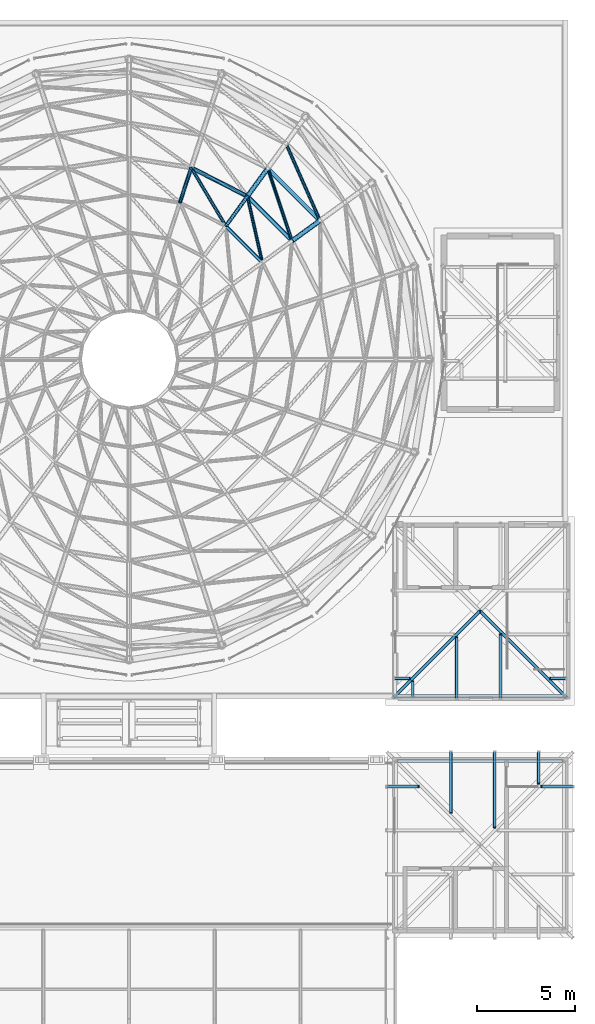
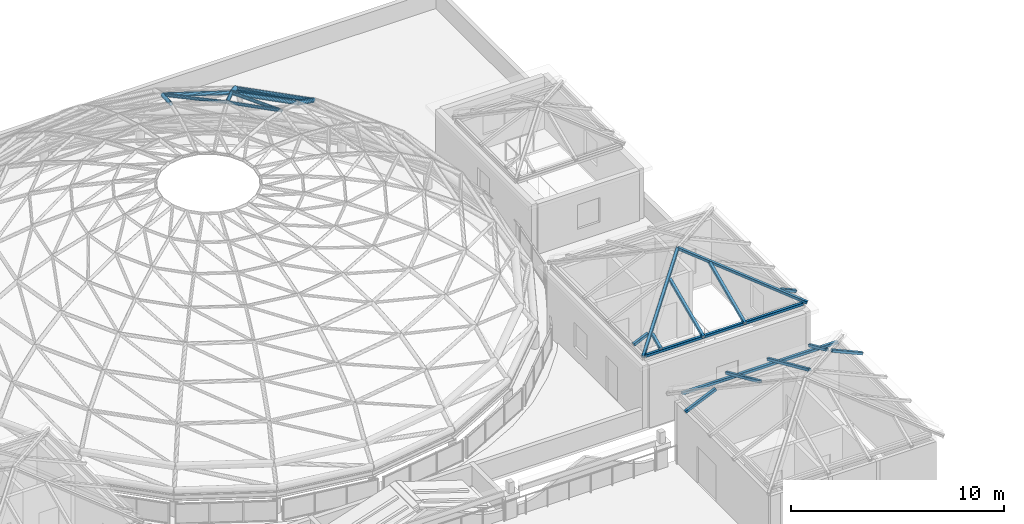
# One storey, part 27 of 69: 26 members.
"""IFC4 building model written with IfcOpenShell, lengths in metres."""

import ifcopenshell
import ifcopenshell.guid

model = None  # the IFC model being written
_history = None  # IfcOwnerHistory: only IFC2X3 demands one
_inside = {}  # id of a spatial element -> (the spatial element, [elements in it])
_under = {}  # id of a project, library or spatial element -> (it, [spatial elements below it])
_declared = {}  # id of a project -> (the project, [libraries it declares])
_typed = {}  # id of a type object -> (the type object, [elements of that type])
_made_of = {}  # id of a material, layer set ... -> (it, [elements and type objects made of it])


def new_model(schema):
    """Start an empty IFC model of exactly this schema.

    Asked for "IFC4X3", IfcOpenShell would pick the latest addendum, in which some entities
    have other attributes; the version numbers below select the first issue.
    IFC2X3 requires an IfcOwnerHistory on every rooted entity: one is made here for all.
    """
    global model, _history
    if schema == "IFC4X3":
        model = ifcopenshell.file(schema_version=(4, 3, 0, 0))
    else:
        model = ifcopenshell.file(schema=schema)
    _inside.clear()
    _under.clear()
    _declared.clear()
    _typed.clear()
    _made_of.clear()
    _history = None
    if model.schema == "IFC2X3":
        org = make("IfcOrganization", Name="unknown")
        user = make(
            "IfcPersonAndOrganization",
            ThePerson=make("IfcPerson", FamilyName="unknown"),
            TheOrganization=org,
        )
        app = make(
            "IfcApplication",
            ApplicationDeveloper=org,
            Version="unknown",
            ApplicationFullName="unknown",
            ApplicationIdentifier="unknown",
        )
        _history = make(
            "IfcOwnerHistory",
            OwningUser=user,
            OwningApplication=app,
            ChangeAction="ADDED",
            CreationDate=0,
        )
    return model


def make(cls, **values):
    """One entity of the class cls with the attributes given. An attribute that is None is left unset."""
    return model.create_entity(
        cls, **{name: value for name, value in values.items() if value is not None}
    )


def rooted(cls, **values):
    """An entity with a GlobalId (a new one), such as an element, a storey or a relation."""
    return make(cls, GlobalId=ifcopenshell.guid.new(), OwnerHistory=_history, **values)


def si_unit(unit_type, name, prefix=None):
    """IfcSIUnit, for example si_unit("LENGTHUNIT", "METRE", prefix="MILLI")."""
    return make("IfcSIUnit", UnitType=unit_type, Prefix=prefix, Name=name)


def assignment(units):
    """IfcUnitAssignment: the units of a project."""
    return None if units is None else make("IfcUnitAssignment", Units=units)


def point(xyz):
    """IfcCartesianPoint."""
    return None if xyz is None else make("IfcCartesianPoint", Coordinates=xyz)


def direction(xyz):
    """IfcDirection."""
    return None if xyz is None else make("IfcDirection", DirectionRatios=xyz)


def frame(location, z_axis=None, x_axis=None):
    """IfcAxis2Placement3D, a coordinate frame: its origin and axes. An axis left out is left unset."""
    return make(
        "IfcAxis2Placement3D",
        Location=point(location),
        Axis=direction(z_axis),
        RefDirection=direction(x_axis),
    )


def frame_2d(location, x_axis=None):
    """IfcAxis2Placement2D, a coordinate frame in the plane: its origin and x axis."""
    return make(
        "IfcAxis2Placement2D", Location=point(location), RefDirection=direction(x_axis)
    )


def origin():
    """The frame at (0, 0, 0) with its axes left unset."""
    return frame((0.0, 0.0, 0.0))


def origin_2d():
    """The frame at (0, 0) in the plane with its x axis left unset."""
    return frame_2d((0.0, 0.0))


def place(relative_to, where):
    """IfcLocalPlacement: puts the frame where relative to a parent placement (None: the world)."""
    return make(
        "IfcLocalPlacement", PlacementRelTo=relative_to, RelativePlacement=where
    )


def context(
    kind, dimensions, precision=None, world=None, true_north=None, identifier=None
):
    """IfcGeometricRepresentationContext, for example the 3D "Model" context."""
    return make(
        "IfcGeometricRepresentationContext",
        ContextIdentifier=identifier,
        ContextType=kind,
        CoordinateSpaceDimension=dimensions,
        Precision=precision,
        WorldCoordinateSystem=world,
        TrueNorth=true_north,
    )


def subcontext(parent, identifier, kind, view, scale=None):
    """IfcGeometricRepresentationSubContext, for example "Body" below "Model"."""
    return make(
        "IfcGeometricRepresentationSubContext",
        ContextIdentifier=identifier,
        ContextType=kind,
        ParentContext=parent,
        TargetScale=scale,
        TargetView=view,
    )


def project(units=None, contexts=None):
    """IfcProject with its units and contexts."""
    return rooted(
        "IfcProject",
        Name="project",
        RepresentationContexts=contexts,
        UnitsInContext=assignment(units),
    )


def spatial(cls, under=None, at=None, **own):
    """A site, building, storey or space (cls), placed at a placement, below another one or the project."""
    s = rooted(cls, ObjectPlacement=at, **own)
    if under is not None:
        _under.setdefault(under.id(), (under, []))[1].append(s)
    return s


def profile(cls, at=None, kind="AREA", **sizes):
    """A parametric profile (cls). Its sizes go by their IFC names, for example OverallWidth=200.0."""
    return make(cls, ProfileType=kind, Position=at, **sizes)


def hollow_rectangle(**sizes):
    """IfcRectangleHollowProfileDef."""
    return profile("IfcRectangleHollowProfileDef", **sizes)


def hollow_circle(**sizes):
    """IfcCircleHollowProfileDef."""
    return profile("IfcCircleHollowProfileDef", **sizes)


def extrude(swept, where, along, depth):
    """IfcExtrudedAreaSolid: the profile swept, set in the frame where, extruded along a direction by depth."""
    return make(
        "IfcExtrudedAreaSolid",
        SweptArea=swept,
        Position=where,
        ExtrudedDirection=direction(along),
        Depth=depth,
    )


def shape(context_of_items, identifier, shape_type, items):
    """IfcShapeRepresentation: the items that make up one representation, for example the "Body"."""
    return make(
        "IfcShapeRepresentation",
        ContextOfItems=context_of_items,
        RepresentationIdentifier=identifier,
        RepresentationType=shape_type,
        Items=items,
    )


def material(Name=None, Category=None):
    """IfcMaterial."""
    return make("IfcMaterial", Name=Name, Category=Category)


def material_profile(
    of_material, cross_section, Name=None, Category=None, Priority=None
):
    """IfcMaterialProfile: a cross section and its material."""
    return make(
        "IfcMaterialProfile",
        Name=Name,
        Material=of_material,
        Profile=cross_section,
        Priority=Priority,
        Category=Category,
    )


def profile_set(profiles, Name=None, composite=None):
    """IfcMaterialProfileSet."""
    return make(
        "IfcMaterialProfileSet",
        Name=Name,
        MaterialProfiles=profiles,
        CompositeProfile=composite,
    )


def made_of(thing, what):
    """Note that an element or type object is made of a material, layer set ...; save() writes the relation."""
    if what is not None:
        _made_of.setdefault(what.id(), (what, []))[1].append(thing)
    return thing


def type_object(cls, material=None, **own):
    """A type object (cls), such as IfcWallType, which elements share."""
    return made_of(rooted(cls, **own), material)


def element(
    cls,
    number,
    at=None,
    inside=None,
    cuts=None,
    type_object=None,
    material=None,
    context=None,
    identifier="Body",
    shape_type=None,
    held_by="IfcProductDefinitionShape",
    body=None,
    shapes=None,
    **own,
):
    """One element of the class cls, such as IfcWall. Its Tag is "e" and its number.

    at: its placement. inside: the storey or other place that contains it. cuts: it is an
    opening in that element (IfcRelVoidsElement). A single representation is given by context,
    identifier, shape_type and body (its items); several are given by shapes. held_by: the class
    of the entity that holds the representations. save() writes the other relations.
    """
    e = rooted(cls, Tag="e%d" % number, ObjectPlacement=at, **own)
    if body is not None:
        shapes = [shape(context, identifier, shape_type, body)]
    if shapes is not None:
        e.Representation = make(held_by, Representations=shapes)
    if inside is not None:
        _inside.setdefault(inside.id(), (inside, []))[1].append(e)
    if cuts is not None:
        rooted(
            "IfcRelVoidsElement", RelatingBuildingElement=cuts, RelatedOpeningElement=e
        )
    if type_object is not None:
        _typed.setdefault(type_object.id(), (type_object, []))[1].append(e)
    return made_of(e, material)


def aggregate(whole, parts):
    """IfcRelAggregates: a whole, such as a stair, and the parts it consists of."""
    return rooted("IfcRelAggregates", RelatingObject=whole, RelatedObjects=parts)


def save(model, path):
    """Write the relations noted so far, then the file.

    IfcRelAggregates (storeys below a building ...), IfcRelContainedInSpatialStructure (elements
    in a storey), IfcRelDefinesByType, IfcRelAssociatesMaterial and IfcRelDeclares: one each for
    every whole, place, type object, material and project.
    """
    for whole, parts in _under.values():
        aggregate(whole, parts)
    for where, things in _inside.values():
        rooted(
            "IfcRelContainedInSpatialStructure",
            RelatedElements=things,
            RelatingStructure=where,
        )
    for kind, things in _typed.values():
        rooted("IfcRelDefinesByType", RelatedObjects=things, RelatingType=kind)
    for what, things in _made_of.values():
        rooted("IfcRelAssociatesMaterial", RelatedObjects=things, RelatingMaterial=what)
    for by, libraries in _declared.values():
        rooted("IfcRelDeclares", RelatingContext=by, RelatedDefinitions=libraries)
    model.write(path)


model = new_model("IFC4")

# Units and contexts
model_context = context("Model", 3, precision=1e-05, world=origin(), true_north=direction((0.0, 1.0)))
body_context = subcontext(model_context, "Body", "Model", "MODEL_VIEW")
ifc_project = project(units=[si_unit("LENGTHUNIT", "METRE"), si_unit("AREAUNIT", "SQUARE_METRE"), si_unit("VOLUMEUNIT", "CUBIC_METRE"), si_unit("PLANEANGLEUNIT", "RADIAN"), si_unit("MASSUNIT", "GRAM", prefix="KILO")], contexts=[model_context])

# Site, building, storey
site_placement = place(None, origin())
site = spatial("IfcSite", under=ifc_project, at=site_placement, CompositionType="ELEMENT")
building_placement = place(site_placement, origin())
building = spatial("IfcBuilding", under=site, at=building_placement, Name="Kallimachos Central Library", CompositionType="ELEMENT")
storey_placement = place(building_placement, frame((0.0, 0.0, 23.39990234375)))
storey = spatial("IfcBuildingStorey", under=building, at=storey_placement, Name="L05", CompositionType="ELEMENT", Elevation=23.39990234375)

# Members
ifc_material_1 = material(Name="Steel S355J2H", Category="steel")
ifc_material_profile_1 = material_profile(ifc_material_1, hollow_circle(Radius=0.084228515625, WallThickness=0.008056640625, at=origin_2d()), Name="CHS 168.3x8")
ifc_profile_set_1 = profile_set([ifc_material_profile_1], Name="Steel S355J2H")
member_type_1 = type_object("IfcMemberType", Name="CHS 168.3x8 dome diagonal", PredefinedType="BRACE", material=ifc_profile_set_1)
for number, where, z_axis, x_axis, name in (
    (1, (94.83642578125, 109.366943359375, 7.008544921875), (-0.214424844042, 0.953113630187, -0.213533122042), (-0.975615394569, -0.219487133748, 0.0), "Dome diagonal DD-3-02"),
    (2, (92.967041015625, 111.236328125, 7.008544921875), (-0.498467451237, 0.840199230797, -0.213530917256), (-0.860034809868, -0.510235363157, 0.0), "Dome diagonal DD-3-03"),
):
    element("IfcMember", number, at=place(storey_placement, frame(where, z_axis=z_axis, x_axis=x_axis)), inside=storey, type_object=member_type_1, Name=name, PredefinedType="BRACE", context=body_context, shape_type="SweptSolid", body=[
        extrude(hollow_circle(Radius=0.084228515625, WallThickness=0.008056640625, at=origin_2d()), origin(), (0.0, 0.0, 1.0), 3.559326171875),
    ])
member_1_placement = place(storey_placement, frame((96.359130859375, 110.473388671875, 6.24853515625), z_axis=(-0.306893847639, 0.920379779056, -0.242316381174), x_axis=(-0.948652190111, -0.316321074539, 0.0)))
element("IfcMember", 3, at=member_1_placement, inside=storey, type_object=member_type_1, Name="Dome diagonal DD-4-02", PredefinedType="BRACE", context=body_context, shape_type="SweptSolid", body=[
    extrude(hollow_circle(Radius=0.084228515625, WallThickness=0.008056640625, at=origin_2d()), origin(), (0.0, 0.0, 1.0), 4.045166015625),
])
member_2_placement = place(storey_placement, frame((97.796630859375, 111.517578125, 5.268310546875), z_axis=(-0.388128518494, 0.877552679073, -0.281527172014), x_axis=(-0.914542964067, -0.40448877225, 0.0)))
element("IfcMember", 4, at=member_2_placement, inside=storey, type_object=member_type_1, Name="Dome diagonal DD-5-02", PredefinedType="BRACE", context=body_context, shape_type="SweptSolid", body=[
    extrude(hollow_circle(Radius=0.084228515625, WallThickness=0.008056640625, at=origin_2d()), origin(), (0.0, 0.0, 1.0), 4.509521484375),
])
ifc_material_2 = material(Name="Steel S355J2H", Category="steel")
ifc_material_profile_2 = material_profile(ifc_material_2, hollow_circle(Radius=0.084228515625, WallThickness=0.008056640625, at=origin_2d()), Name="CHS 168.3x8")
ifc_profile_set_2 = profile_set([ifc_material_profile_2], Name="Steel S355J2H")
member_type_2 = type_object("IfcMemberType", Name="CHS 168.3x8 dome ring", PredefinedType="PURLIN", material=ifc_profile_set_2)
member_3_placement = place(storey_placement, frame((94.83642578125, 109.366943359375, 7.008544921875), z_axis=(-0.707106781187, 0.707106781187, 0.0), x_axis=(-0.707106781187, -0.707106781187, 0.0)))
element("IfcMember", 5, at=member_3_placement, inside=storey, type_object=member_type_2, Name="Dome ring DN-3-02", PredefinedType="PURLIN", context=body_context, shape_type="SweptSolid", body=[
    extrude(hollow_circle(Radius=0.084228515625, WallThickness=0.008056640625, at=origin_2d()), origin(), (0.0, 0.0, 1.0), 2.643798828125),
])
ifc_material_3 = material(Name="Steel S355J2H", Category="steel")
ifc_material_profile_3 = material_profile(ifc_material_3, hollow_circle(Radius=0.096923828125, WallThickness=0.010009765625, at=origin_2d()), Name="CHS 193.7x10")
ifc_profile_set_3 = profile_set([ifc_material_profile_3], Name="Steel S355J2H")
member_type_3 = type_object("IfcMemberType", Name="CHS 193.7x10 dome rib", PredefinedType="RAFTER", material=ifc_profile_set_3)
member_4_placement = place(storey_placement, frame((92.967041015625, 111.236328125, 7.008544921875), z_axis=(0.544941880115, 0.750242208819, -0.374399486382), x_axis=(-0.80908929226, 0.587685729918, 0.0)))
element("IfcMember", 6, at=member_4_placement, inside=storey, type_object=member_type_3, Name="Dome rib DR-3-03", PredefinedType="RAFTER", context=body_context, shape_type="SweptSolid", body=[
    extrude(hollow_circle(Radius=0.096923828125, WallThickness=0.010009765625, at=origin_2d()), origin(), (0.0, 0.0, 1.0), 2.030029296875),
])
member_5_placement = place(storey_placement, frame((90.611328125, 112.436767578125, 7.008544921875), z_axis=(0.286504025632, 0.881883927765, -0.374427805119), x_axis=(-0.951068379711, 0.308980480151, 0.0)))
element("IfcMember", 7, at=member_5_placement, inside=storey, type_object=member_type_3, Name="Dome rib DR-3-04", PredefinedType="RAFTER", context=body_context, shape_type="SweptSolid", body=[
    extrude(hollow_circle(Radius=0.096923828125, WallThickness=0.010009765625, at=origin_2d()), origin(), (0.0, 0.0, 1.0), 2.02978515625),
])
ifc_material_4 = material(Name="Steel S355J2H", Category="steel")
ifc_material_profile_4 = material_profile(ifc_material_4, hollow_circle(Radius=0.109619140625, WallThickness=0.012451171875, at=origin_2d()), Name="CHS 219.1x12.5")
ifc_profile_set_4 = profile_set([ifc_material_profile_4], Name="Steel S355J2H")
member_type_4 = type_object("IfcMemberType", Name="CHS 219.1x12.5 dome ring", PredefinedType="PURLIN", material=ifc_profile_set_4)
for number, where, z_axis, x_axis, name in (
    (8, (96.359130859375, 110.473388671875, 6.24853515625), (-0.707106781187, 0.707106781187, 0.0), (-0.707106781187, -0.707106781187, 0.0), "Dome ring DN-4-02"),
    (9, (94.0732421875, 112.75927734375, 6.24853515625), (-0.891018171034, 0.453967640794, 0.0), (-0.453967640794, -0.891018171034, 0.0), "Dome ring DN-4-03"),
):
    element("IfcMember", number, at=place(storey_placement, frame(where, z_axis=z_axis, x_axis=x_axis)), inside=storey, type_object=member_type_4, Name=name, PredefinedType="PURLIN", context=body_context, shape_type="SweptSolid", body=[
        extrude(hollow_circle(Radius=0.109619140625, WallThickness=0.012451171875, at=origin_2d()), origin(), (0.0, 0.0, 1.0), 3.232666015625),
    ])
member_6_placement = place(storey_placement, frame((97.796630859375, 111.517578125, 5.268310546875), z_axis=(-0.707106781187, 0.707106781187, 0.0), x_axis=(-0.707106781187, -0.707106781187, 0.0)))
element("IfcMember", 10, at=member_6_placement, inside=storey, type_object=member_type_4, Name="Dome ring DN-5-02", PredefinedType="PURLIN", context=body_context, shape_type="SweptSolid", body=[
    extrude(hollow_circle(Radius=0.109619140625, WallThickness=0.012451171875, at=origin_2d()), origin(), (0.0, 0.0, 1.0), 3.78857421875),
])
ifc_material_5 = material(Name="Steel S355J2H", Category="steel")
ifc_material_profile_5 = material_profile(ifc_material_5, hollow_circle(Radius=0.122314453125, WallThickness=0.012451171875, at=origin_2d()), Name="CHS 244.5x12.5")
ifc_profile_set_5 = profile_set([ifc_material_profile_5], Name="Steel S355J2H")
member_type_5 = type_object("IfcMemberType", Name="CHS 244.5x12.5 dome rib", PredefinedType="RAFTER", material=ifc_profile_set_5)
member_7_placement = place(storey_placement, frame((96.359130859375, 110.473388671875, 6.24853515625), z_axis=(0.708413661964, 0.51458648645, -0.48306400353), x_axis=(-0.587705889038, 0.809074649207, 0.0)))
element("IfcMember", 11, at=member_7_placement, inside=storey, type_object=member_type_5, Name="Dome rib DR-4-02", PredefinedType="RAFTER", context=body_context, shape_type="SweptSolid", body=[
    extrude(hollow_circle(Radius=0.122314453125, WallThickness=0.012451171875, at=origin_2d()), origin(), (0.0, 0.0, 1.0), 2.029296875),
])
member_8_placement = place(storey_placement, frame((94.0732421875, 112.75927734375, 6.24853515625), z_axis=(0.514718797347, 0.708309855068, -0.483075262119), x_axis=(-0.808961830898, 0.587861170814, 0.0)))
element("IfcMember", 12, at=member_8_placement, inside=storey, type_object=member_type_5, Name="Dome rib DR-4-03", PredefinedType="RAFTER", context=body_context, shape_type="SweptSolid", body=[
    extrude(hollow_circle(Radius=0.122314453125, WallThickness=0.012451171875, at=origin_2d()), origin(), (0.0, 0.0, 1.0), 2.029052734375),
])
ifc_material_6 = material(Name="Steel S355J2H", Category="steel")
ifc_material_profile_6 = material_profile(ifc_material_6, hollow_rectangle(XDim=0.14990234375, YDim=0.14990234375, WallThickness=0.010009765625, InnerFilletRadius=0.010009765625, OuterFilletRadius=0.014892578125, at=origin_2d()), Name="SHS 150x150x10")
ifc_profile_set_6 = profile_set([ifc_material_profile_6], Name="Steel S355J2H")
member_type_6 = type_object("IfcMemberType", Name="SHS 150x150x10 eaves bearer", PredefinedType="STRINGER", material=ifc_profile_set_6)
member_9_placement = place(storey_placement, frame((101.77490234375, 83.800048828125, 3.875), z_axis=(1.0, 0.0, 0.0), x_axis=(0.0, 1.0, 0.0)))
element("IfcMember", 13, at=member_9_placement, inside=storey, type_object=member_type_6, Name="Head-house roof V4-NE eaves bearer N", PredefinedType="STRINGER", context=body_context, shape_type="SweptSolid", body=[
    extrude(hollow_rectangle(XDim=0.14990234375, YDim=0.14990234375, WallThickness=0.010009765625, InnerFilletRadius=0.010009765625, OuterFilletRadius=0.014892578125, at=origin_2d()), origin(), (0.0, 0.0, 1.0), 8.4501953125),
])
member_10_placement = place(storey_placement, frame((101.72509765625, 87.14990234375, 4.025146484375), z_axis=(1.0, 0.0, 0.0), x_axis=(0.0, 1.0, 0.0)))
element("IfcMember", 14, at=member_10_placement, inside=storey, type_object=member_type_6, Name="Head-house roof V1-SE eaves bearer S", PredefinedType="STRINGER", context=body_context, shape_type="SweptSolid", body=[
    extrude(hollow_rectangle(XDim=0.14990234375, YDim=0.14990234375, WallThickness=0.010009765625, InnerFilletRadius=0.010009765625, OuterFilletRadius=0.014892578125, at=origin_2d()), origin(), (0.0, 0.0, 1.0), 8.5498046875),
])
ifc_material_7 = material(Name="Steel S355J2H", Category="steel")
ifc_material_profile_7 = material_profile(ifc_material_7, hollow_rectangle(XDim=0.14990234375, YDim=0.14990234375, WallThickness=0.010009765625, InnerFilletRadius=0.010009765625, OuterFilletRadius=0.014892578125, at=origin_2d()), Name="SHS 150x150x10")
ifc_profile_set_7 = profile_set([ifc_material_profile_7], Name="Steel S355J2H")
member_type_7 = type_object("IfcMemberType", Name="SHS 150x150x10 rafter", PredefinedType="RAFTER", material=ifc_profile_set_7)
member_11_placement = place(storey_placement, frame((104.5, 84.300048828125, 3.8095703125), z_axis=(0.0, -0.913546509307, 0.40673428099), x_axis=(1.0, 0.0, 0.0)))
element("IfcMember", 15, at=member_11_placement, inside=storey, type_object=member_type_7, Name="Head-house roof V4-NE rafter", PredefinedType="RAFTER", context=body_context, shape_type="SweptSolid", body=[
    extrude(hollow_rectangle(XDim=0.14990234375, YDim=0.14990234375, WallThickness=0.010009765625, InnerFilletRadius=0.010009765625, OuterFilletRadius=0.014892578125, at=origin_2d()), origin(), (0.0, 0.0, 1.0), 3.459228515625),
])
member_12_placement = place(storey_placement, frame((106.75, 84.300048828125, 3.8095703125), z_axis=(0.0, -0.913540850468, 0.406746990802), x_axis=(1.0, 0.0, 0.0)))
element("IfcMember", 16, at=member_12_placement, inside=storey, type_object=member_type_7, Name="Head-house roof V4-NE rafter", PredefinedType="RAFTER", context=body_context, shape_type="SweptSolid", body=[
    extrude(hollow_rectangle(XDim=0.14990234375, YDim=0.14990234375, WallThickness=0.010009765625, InnerFilletRadius=0.010009765625, OuterFilletRadius=0.014892578125, at=origin_2d()), origin(), (0.0, 0.0, 1.0), 4.2802734375),
])
for number, where, z_axis, x_axis, name in (
    (17, (109.0, 84.300048828125, 3.8095703125), (0.0, -0.913573164334, 0.406674407123), (1.0, 0.0, 0.0), "Head-house roof V4-NE rafter"),
    (18, (101.199951171875, 82.5, 3.8095703125), (0.913573164334, 0.0, 0.406674407123), (0.0, 1.0, 0.0), "Head-house roof V4-NE rafter"),
    (19, (110.800048828125, 82.5, 3.8095703125), (-0.913573164334, 0.0, 0.406674407123), (0.0, -1.0, 0.0), "Head-house roof V4-NE rafter"),
):
    element("IfcMember", number, at=place(storey_placement, frame(where, z_axis=z_axis, x_axis=x_axis)), inside=storey, type_object=member_type_7, Name=name, PredefinedType="RAFTER", context=body_context, shape_type="SweptSolid", body=[
        extrude(hollow_rectangle(XDim=0.14990234375, YDim=0.14990234375, WallThickness=0.010009765625, InnerFilletRadius=0.010009765625, OuterFilletRadius=0.014892578125, at=origin_2d()), origin(), (0.0, 0.0, 1.0), 1.817138671875),
    ])
member_13_placement = place(storey_placement, frame((102.550048828125, 87.10009765625, 4.159912109375), z_axis=(0.0, 0.913527399839, 0.406777199144), x_axis=(-1.0, 0.0, 0.0)))
element("IfcMember", 20, at=member_13_placement, inside=storey, type_object=member_type_7, Name="Head-house roof V1-SE rafter", PredefinedType="RAFTER", context=body_context, shape_type="SweptSolid", body=[
    extrude(hollow_rectangle(XDim=0.14990234375, YDim=0.14990234375, WallThickness=0.010009765625, InnerFilletRadius=0.010009765625, OuterFilletRadius=0.014892578125, at=origin_2d()), origin(), (0.0, 0.0, 1.0), 0.886474609375),
])
member_14_placement = place(storey_placement, frame((104.800048828125, 87.0, 4.115478515625), z_axis=(0.0, 0.913561058639, 0.406701600856), x_axis=(-1.0, 0.0, 0.0)))
element("IfcMember", 21, at=member_14_placement, inside=storey, type_object=member_type_7, Name="Head-house roof V1-SE rafter", PredefinedType="RAFTER", context=body_context, shape_type="SweptSolid", body=[
    extrude(hollow_rectangle(XDim=0.14990234375, YDim=0.14990234375, WallThickness=0.010009765625, InnerFilletRadius=0.010009765625, OuterFilletRadius=0.014892578125, at=origin_2d()), origin(), (0.0, 0.0, 1.0), 3.458984375),
])
member_15_placement = place(storey_placement, frame((107.050048828125, 87.0, 4.115478515625), z_axis=(0.0, 0.913555735439, 0.406713557981), x_axis=(-1.0, 0.0, 0.0)))
element("IfcMember", 22, at=member_15_placement, inside=storey, type_object=member_type_7, Name="Head-house roof V1-SE rafter", PredefinedType="RAFTER", context=body_context, shape_type="SweptSolid", body=[
    extrude(hollow_rectangle(XDim=0.14990234375, YDim=0.14990234375, WallThickness=0.010009765625, InnerFilletRadius=0.010009765625, OuterFilletRadius=0.014892578125, at=origin_2d()), origin(), (0.0, 0.0, 1.0), 3.623291015625),
])
for number, where, z_axis, x_axis, name in (
    (23, (101.60009765625, 88.050048828125, 4.159912109375), (0.913527399839, 0.0, 0.406777199144), (0.0, 1.0, 0.0), "Head-house roof V1-SE rafter"),
    (24, (110.39990234375, 88.050048828125, 4.159912109375), (-0.913527399839, 0.0, 0.406777199144), (0.0, -1.0, 0.0), "Head-house roof V1-SE rafter"),
):
    element("IfcMember", number, at=place(storey_placement, frame(where, z_axis=z_axis, x_axis=x_axis)), inside=storey, type_object=member_type_7, Name=name, PredefinedType="RAFTER", context=body_context, shape_type="SweptSolid", body=[
        extrude(hollow_rectangle(XDim=0.14990234375, YDim=0.14990234375, WallThickness=0.010009765625, InnerFilletRadius=0.010009765625, OuterFilletRadius=0.014892578125, at=origin_2d()), origin(), (0.0, 0.0, 1.0), 0.886474609375),
    ])
ifc_material_8 = material(Name="Steel S355J2H", Category="steel")
ifc_material_profile_8 = material_profile(ifc_material_8, hollow_rectangle(XDim=0.14990234375, YDim=0.14990234375, WallThickness=0.010009765625, InnerFilletRadius=0.010009765625, OuterFilletRadius=0.014892578125, at=origin_2d()), Name="SHS 150x150x10")
ifc_profile_set_8 = profile_set([ifc_material_profile_8], Name="Steel S355J2H")
member_type_8 = type_object("IfcMemberType", Name="SHS 200x200x10 hip rafter", PredefinedType="RAFTER", material=ifc_profile_set_8)
for number, where, z_axis, x_axis, name in (
    (25, (101.550048828125, 87.050048828125, 4.08740234375), (0.674472829332, 0.674472829332, 0.300287870194), (-0.707106781187, 0.707106781187, 0.0), "Head-house roof V1-SE hip"),
    (26, (110.449951171875, 87.050048828125, 4.08740234375), (-0.674472829332, 0.674472829332, 0.300287870194), (-0.707106781187, -0.707106781187, 0.0), "Head-house roof V1-SE hip"),
):
    element("IfcMember", number, at=place(storey_placement, frame(where, z_axis=z_axis, x_axis=x_axis)), inside=storey, type_object=member_type_8, Name=name, PredefinedType="RAFTER", context=body_context, shape_type="SweptSolid", body=[
        extrude(hollow_rectangle(XDim=0.14990234375, YDim=0.14990234375, WallThickness=0.010009765625, InnerFilletRadius=0.010009765625, OuterFilletRadius=0.014892578125, at=origin_2d()), origin(), (0.0, 0.0, 1.0), 6.59765625),
    ])

save(model, "model.ifc")
